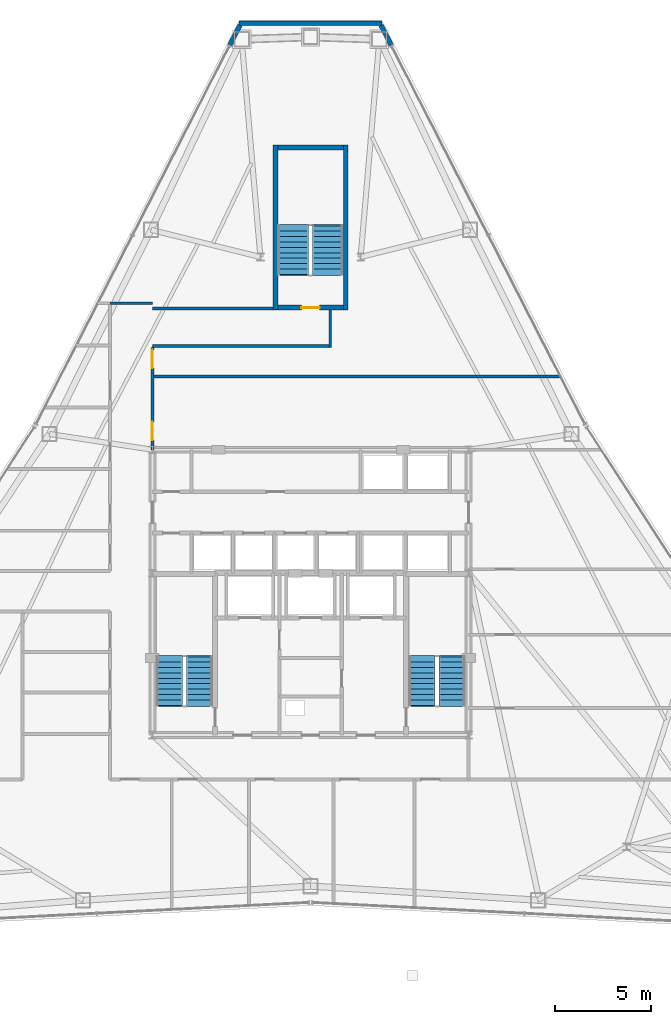
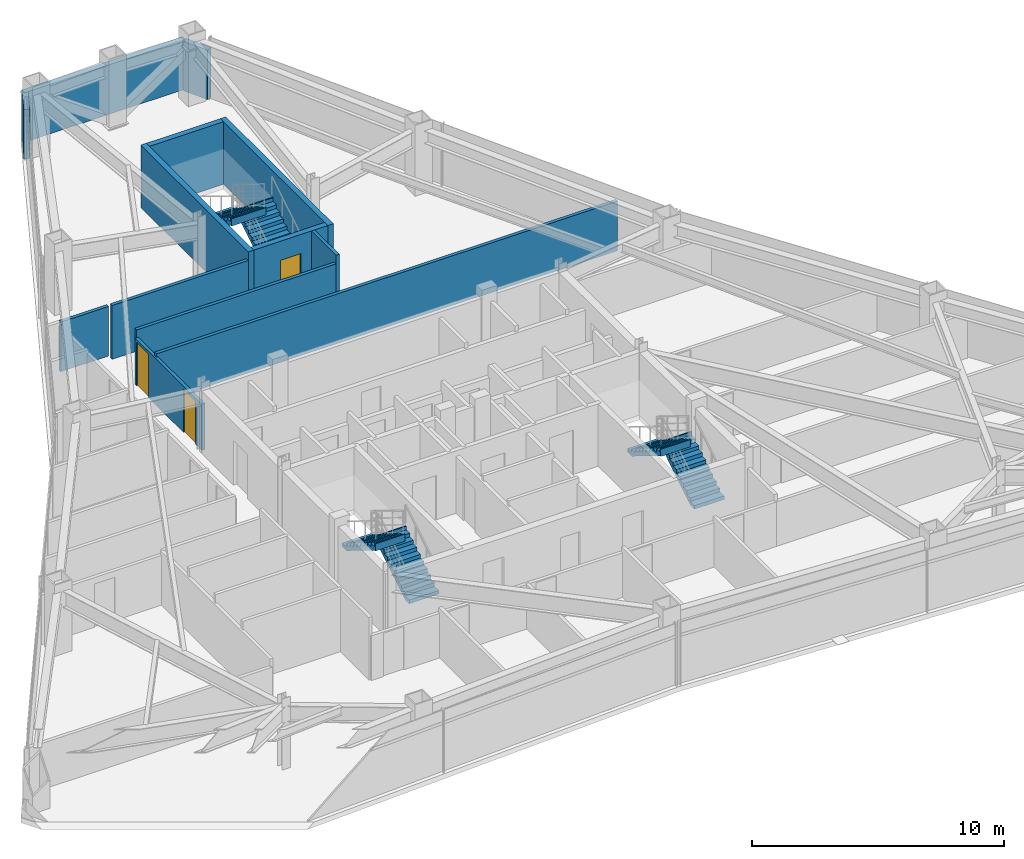
# One storey, part 11 of 12: 13 walls, 6 stair flights, 3 doors, 3 openings, 3 elements without a shape of their own.
"""IFC4 building model written with IfcOpenShell, lengths in metres."""

from ifc_helpers import new_model, si_unit, direction, frame, frame_2d, origin, place, context, subcontext, project, spatial, polyline, rectangle, outline, extrude, material, layer, layer_set, type_object, element, fill, aggregate, save


model = new_model("IFC4")

# Units and contexts
model_context = context("Model", 3, precision=1e-05, world=origin(), true_north=direction((0.0, 1.0)))
body_context = subcontext(model_context, "Body", "Model", "MODEL_VIEW")
ifc_project = project(units=[si_unit("LENGTHUNIT", "METRE"), si_unit("AREAUNIT", "SQUARE_METRE"), si_unit("VOLUMEUNIT", "CUBIC_METRE"), si_unit("PLANEANGLEUNIT", "RADIAN"), si_unit("MASSUNIT", "GRAM", prefix="KILO")], contexts=[model_context])

# Site, building, storey
site_placement = place(None, origin())
site = spatial("IfcSite", under=ifc_project, at=site_placement, CompositionType="ELEMENT")
building_placement = place(site_placement, origin())
building = spatial("IfcBuilding", under=site, at=building_placement, Name="Varakhsha Concourse Tower", CompositionType="ELEMENT")
storey_placement = place(building_placement, frame((0.0, 0.0, 193.050048828125)))
storey = spatial("IfcBuildingStorey", under=building, at=storey_placement, Name="L55", CompositionType="ELEMENT", Elevation=193.050048828125)

# Walls
ifc_material_1 = material(Name="Concrete fc 45 MPa", Category="concrete")
ifc_layer_1 = layer(ifc_material_1, 0.239990234375, Name="WL-EXT-CRN-240")
ifc_layer_set_1 = layer_set([ifc_layer_1], Name="Concrete fc 45 MPa")
wall_type_1 = type_object("IfcWallType", Name="WL-EXT-CRN-240", PredefinedType="SHEAR", material=ifc_layer_set_1)
wall_1_placement = place(storey_placement, frame((36.300048828125, 53.338134765625, 0.0), z_axis=(0.0, 0.0, 1.0), x_axis=(1.0, 0.0, 0.0)))
element("IfcWall", 1, at=wall_1_placement, inside=storey, type_object=wall_type_1, Name="L55 Chamfer Wind-Corner Insulated Wall F1", PredefinedType="SHEAR", context=body_context, shape_type="SweptSolid", body=[
    extrude(rectangle(XDim=7.39990234375, YDim=0.239990234375, at=frame_2d((3.699951171875, 0.0))), origin(), (0.0, 0.0, 1.0), 2.40283203125),
])
for number, where, z_axis, x_axis, name in (
    (2, (36.34228515625, 53.2294921875, 0.0), (0.0, 0.0, 1.0), (-0.454974746331, -0.89050434036, 0.0), "L55 Wind-Corner Shoulder Wall F2"),
    (3, (44.18896484375, 52.189697265625, 0.0), (0.0, 0.0, 1.0), (-0.454974746331, 0.89050434036, 0.0), "L55 Wind-Corner Shoulder Wall F9"),
):
    element("IfcWall", number, at=place(storey_placement, frame(where, z_axis=z_axis, x_axis=x_axis)), inside=storey, type_object=wall_type_1, Name=name, PredefinedType="SHEAR", context=body_context, shape_type="SweptSolid", body=[
        extrude(rectangle(XDim=1.167724609375, YDim=0.239990234375, at=frame_2d((0.583984375, 0.0))), origin(), (0.0, 0.0, 1.0), 2.40283203125),
    ])

# Wall, openings, doors
ifc_material_2 = material(Name="Fire-Rated Type X Gypsum Partition Assembly", Category="gypsum")
ifc_layer_2 = layer(ifc_material_2, 0.14990234375, Name="WL-PART-150")
ifc_layer_set_2 = layer_set([ifc_layer_2], Name="Fire-Rated Type X Gypsum Partition Assembly")
wall_type_2 = type_object("IfcWallType", Name="WL-PART-150", PredefinedType="PARTITIONING", material=ifc_layer_set_2)
wall_2_placement = place(storey_placement, frame((31.800048828125, 31.199951171875, 0.0), z_axis=(0.0, 0.0, 1.0), x_axis=(0.0, 1.0, 0.0)))
wall_2 = element("IfcWall", 4, at=wall_2_placement, inside=storey, type_object=wall_type_2, Name="L55 Wall CRW-NE-L55", PredefinedType="PARTITIONING", context=body_context, shape_type="SweptSolid", body=[
    extrude(rectangle(XDim=5.300048828125, YDim=0.14990234375, at=frame_2d((2.64990234375, 0.0))), origin(), (0.0, 0.0, 1.0), 2.240966796875),
])
opening_1_placement = place(wall_2_placement, frame((0.5, 0.0, 0.0)))
opening_1 = element("IfcOpeningElement", 5, at=opening_1_placement, cuts=wall_2, Name="Opening DF-05", PredefinedType="OPENING", context=body_context, shape_type="SweptSolid", body=[
    extrude(rectangle(XDim=0.949951171875, YDim=2.10009765625, at=frame_2d((0.47509765625, 1.050048828125))), frame((0.0, 0.0849609375, 0.0), z_axis=(0.0, -1.0, 0.0), x_axis=(1.0, 0.0, 0.0)), (0.0, 0.0, 1.0), 0.169921875),
])
opening_2_placement = place(wall_2_placement, frame((4.22998046875, 0.0, 0.0)))
opening_2 = element("IfcOpeningElement", 6, at=opening_2_placement, cuts=wall_2, Name="Opening DF-05", PredefinedType="OPENING", context=body_context, shape_type="SweptSolid", body=[
    extrude(rectangle(XDim=0.949951171875, YDim=2.10009765625, at=frame_2d((0.47509765625, 1.050048828125))), frame((0.0, 0.0849609375, 0.0), z_axis=(0.0, -1.0, 0.0), x_axis=(1.0, 0.0, 0.0)), (0.0, 0.0, 1.0), 0.169921875),
])
ifc_material_3 = material(Name="Hollow Galvanised Steel Fire Door Assembly", Category="steel")
door_type_1 = type_object("IfcDoorType", Name="DR-FD60-950", OperationType="NOTDEFINED", PredefinedType="DOOR", material=ifc_material_3)
door_1_placement = place(opening_1_placement, origin())
door_1 = element("IfcDoor", 7, at=door_1_placement, inside=storey, type_object=door_type_1, Name="L55 Mountain View Grand Corner Boardroom L55-NE1 Door", OperationType="SINGLE_SWING_RIGHT", OverallHeight=2.10009765625, OverallWidth=0.949951171875, PredefinedType="DOOR", context=body_context, shape_type="SweptSolid", body=[
    extrude(rectangle(XDim=0.949951171875, YDim=2.10009765625, at=frame_2d((0.47509765625, 1.050048828125))), frame((0.0, 0.02490234375, 0.0), z_axis=(0.0, -1.0, 0.0), x_axis=(1.0, 0.0, 0.0)), (0.0, 0.0, 1.0), 0.050048828125),
])
fill(opening_1, door_1)
door_2_placement = place(opening_2_placement, origin())
door_2 = element("IfcDoor", 8, at=door_2_placement, inside=storey, type_object=door_type_1, Name="L55 Apex Executive Director Suite L55-NE2 Door", OperationType="SINGLE_SWING_RIGHT", OverallHeight=2.10009765625, OverallWidth=0.949951171875, PredefinedType="DOOR", context=body_context, shape_type="SweptSolid", body=[
    extrude(rectangle(XDim=0.949951171875, YDim=2.10009765625, at=frame_2d((0.47509765625, 1.050048828125))), frame((0.0, 0.02490234375, 0.0), z_axis=(0.0, -1.0, 0.0), x_axis=(1.0, 0.0, 0.0)), (0.0, 0.0, 1.0), 0.050048828125),
])
fill(opening_2, door_2)

# Walls
wall_3_placement = place(storey_placement, frame((29.60009765625, 38.800048828125, 0.0), z_axis=(0.0, 0.0, 1.0), x_axis=(1.0, 0.0, 0.0)))
element("IfcWall", 9, at=wall_3_placement, inside=storey, type_object=wall_type_2, Name="L55 Wall CRW-NCAP-L55", PredefinedType="PARTITIONING", context=body_context, shape_type="SweptSolid", body=[
    extrude(rectangle(XDim=2.199951171875, YDim=0.14990234375, at=frame_2d((1.10009765625, 0.0))), origin(), (0.0, 0.0, 1.0), 2.408935546875),
])
wall_4_placement = place(storey_placement, frame((31.800048828125, 35.0, 0.0), z_axis=(0.0, 0.0, 1.0), x_axis=(1.0, 0.0, 0.0)))
element("IfcWall", 10, at=wall_4_placement, inside=storey, type_object=wall_type_2, Name="L55 Wall ODIV-NE1-L55", PredefinedType="PARTITIONING", context=body_context, shape_type="SweptSolid", body=[
    extrude(rectangle(XDim=21.1689453125, YDim=0.14990234375, at=frame_2d((10.58447265625, 0.0))), origin(), (0.0, 0.0, 1.0), 2.408935546875),
])
wall_5_placement = place(storey_placement, frame((31.800048828125, 36.574951171875, 0.0), z_axis=(0.0, 0.0, 1.0), x_axis=(1.0, 0.0, 0.0)))
element("IfcWall", 11, at=wall_5_placement, inside=storey, type_object=wall_type_2, Name="L55 Wall STLK-S-L55", PredefinedType="PARTITIONING", context=body_context, shape_type="SweptSolid", body=[
    extrude(rectangle(XDim=9.14990234375, YDim=0.14990234375, at=frame_2d((4.574951171875, 0.0))), origin(), (0.0, 0.0, 1.0), 2.613037109375),
])
wall_6_placement = place(storey_placement, frame((31.800048828125, 38.52490234375, 0.0), z_axis=(0.0, 0.0, 1.0), x_axis=(1.0, 0.0, 0.0)))
element("IfcWall", 12, at=wall_6_placement, inside=storey, type_object=wall_type_2, Name="L55 Wall STLK-N-L55", PredefinedType="PARTITIONING", context=body_context, shape_type="SweptSolid", body=[
    extrude(rectangle(XDim=6.25, YDim=0.14990234375, at=frame_2d((3.125, 0.0))), origin(), (0.0, 0.0, 1.0), 2.613037109375),
])
wall_7_placement = place(storey_placement, frame((41.02490234375, 36.5, 0.0), z_axis=(0.0, 0.0, 1.0), x_axis=(0.0, 1.0, 0.0)))
element("IfcWall", 13, at=wall_7_placement, inside=storey, type_object=wall_type_2, Name="L55 Wall STLK-E-L55", PredefinedType="PARTITIONING", context=body_context, shape_type="SweptSolid", body=[
    extrude(rectangle(XDim=1.949951171875, YDim=0.14990234375, at=frame_2d((0.97509765625, 0.0))), origin(), (0.0, 0.0, 1.0), 3.030029296875),
])
ifc_layer_3 = layer(ifc_material_1, 0.25, Name="WL-STAIR-250")
ifc_layer_set_3 = layer_set([ifc_layer_3], Name="Concrete fc 45 MPa")
wall_type_3 = type_object("IfcWallType", Name="WL-STAIR-250", PredefinedType="SHEAR", material=ifc_layer_set_3)
for number, where, z_axis, x_axis, name in (
    (14, (38.175048828125, 38.449951171875, 0.0), (0.0, 0.0, 1.0), (0.0, 1.0, 0.0), "L55 Wall SWALL-ST5-W-L55"),
    (15, (41.824951171875, 38.449951171875, 0.0), (0.0, 0.0, 1.0), (0.0, 1.0, 0.0), "L55 Wall SWALL-ST5-E-L55"),
):
    element("IfcWall", number, at=place(storey_placement, frame(where, z_axis=z_axis, x_axis=x_axis)), inside=storey, type_object=wall_type_3, Name=name, PredefinedType="SHEAR", context=body_context, shape_type="SweptSolid", body=[
        extrude(rectangle(XDim=8.550048828125, YDim=0.25, at=frame_2d((4.27490234375, 0.0))), origin(), (0.0, 0.0, 1.0), 3.030029296875),
    ])

# Wall, opening, door
wall_8_placement = place(storey_placement, frame((38.300048828125, 38.574951171875, 0.0), z_axis=(0.0, 0.0, 1.0), x_axis=(1.0, 0.0, 0.0)))
wall_8 = element("IfcWall", 16, at=wall_8_placement, inside=storey, type_object=wall_type_3, Name="L55 Wall SWALL-ST5-S-L55", PredefinedType="SHEAR", context=body_context, shape_type="SweptSolid", body=[
    extrude(rectangle(XDim=3.39990234375, YDim=0.25, at=frame_2d((1.699951171875, 0.0))), origin(), (0.0, 0.0, 1.0), 3.030029296875),
])
opening_3_placement = place(wall_8_placement, frame((1.22509765625, 0.0, 0.0)))
opening_3 = element("IfcOpeningElement", 17, at=opening_3_placement, cuts=wall_8, Name="Opening DF-03", PredefinedType="OPENING", context=body_context, shape_type="SweptSolid", body=[
    extrude(rectangle(XDim=0.949951171875, YDim=2.10009765625, at=frame_2d((0.47509765625, 1.050048828125))), frame((0.0, 0.135009765625, 0.0), z_axis=(0.0, -1.0, 0.0), x_axis=(1.0, 0.0, 0.0)), (0.0, 0.0, 1.0), 0.27001953125),
])
door_type_2 = type_object("IfcDoorType", Name="DR-FD90-950", OperationType="NOTDEFINED", PredefinedType="DOOR", material=ifc_material_3)
door_3_placement = place(opening_3_placement, origin())
door_3 = element("IfcDoor", 18, at=door_3_placement, inside=storey, type_object=door_type_2, Name="L55 Stair ST5 Fire Door", OperationType="SINGLE_SWING_RIGHT", OverallHeight=2.10009765625, OverallWidth=0.949951171875, PredefinedType="DOOR", context=body_context, shape_type="SweptSolid", body=[
    extrude(rectangle(XDim=0.949951171875, YDim=2.10009765625, at=frame_2d((0.47509765625, 1.050048828125))), frame((0.0, 0.02490234375, 0.0), z_axis=(0.0, -1.0, 0.0), x_axis=(1.0, 0.0, 0.0)), (0.0, 0.0, 1.0), 0.050048828125),
])
fill(opening_3, door_3)

# Wall
wall_9_placement = place(storey_placement, frame((38.300048828125, 46.875, 0.0), z_axis=(0.0, 0.0, 1.0), x_axis=(1.0, 0.0, 0.0)))
element("IfcWall", 19, at=wall_9_placement, inside=storey, type_object=wall_type_3, Name="L55 Wall SWALL-ST5-N-L55", PredefinedType="SHEAR", context=body_context, shape_type="SweptSolid", body=[
    extrude(rectangle(XDim=3.39990234375, YDim=0.25, at=frame_2d((1.699951171875, 0.0))), origin(), (0.0, 0.0, 1.0), 3.030029296875),
])

# Stair, stair flights
stair_type_1 = type_object("IfcStairType", Name="ST-DOGLEG-1360", PredefinedType="HALF_TURN_STAIR", material=ifc_material_1)
stair_1_placement = place(storey_placement, origin())
stair_1 = element("IfcStair", 20, at=stair_1_placement, inside=storey, type_object=stair_type_1, Name="L55 Protected Exit Stair ST1", PredefinedType="HALF_TURN_STAIR")
stair_flight_type_1 = type_object("IfcStairFlightType", Name="STF-1360-R1725", PredefinedType="STRAIGHT", material=ifc_material_1)
stair_flight_1_placement = place(storey_placement, frame((34.239990234375, 17.93994140625, 0.0), z_axis=(0.0, 0.0, 1.0), x_axis=(0.0, 1.0, 0.0)))
stair_flight_1 = element("IfcStairFlight", 21, at=stair_flight_1_placement, type_object=stair_flight_type_1, Name="ST1 flight 1", NumberOfRisers=10, NumberOfTreads=9, PredefinedType="STRAIGHT", RiserHeight=0.1725, TreadLength=0.28, context=body_context, shape_type="SweptSolid", body=[
    extrude(outline(polyline([(-0.06005859375, 0.0), (-0.06005859375, 0.172607421875), (0.0, 0.172607421875), (0.280029296875, 0.172607421875), (0.280029296875, 0.344970703125), (0.56005859375, 0.344970703125), (0.56005859375, 0.517578125), (0.840087890625, 0.517578125), (0.840087890625, 0.68994140625), (1.1201171875, 0.68994140625), (1.1201171875, 0.862548828125), (1.39990234375, 0.862548828125), (1.39990234375, 1.034912109375), (1.679931640625, 1.034912109375), (1.679931640625, 1.20751953125), (1.9599609375, 1.20751953125), (1.9599609375, 1.3798828125), (2.239990234375, 1.3798828125), (2.239990234375, 1.552490234375), (2.52001953125, 1.552490234375), (2.52001953125, 1.72509765625), (2.580078125, 1.72509765625), (2.580078125, 1.37646484375), (2.52001953125, 1.37646484375), (0.285888671875, 0.0), (-0.06005859375, 0.0)])), frame((0.0, 0.68017578125, 0.0), z_axis=(0.0, -1.0, 0.0), x_axis=(1.0, 0.0, 0.0)), (0.0, 0.0, 1.0), 1.360107421875),
])
stair_flight_2_placement = place(storey_placement, frame((32.679931640625, 20.4599609375, 1.724853515625), z_axis=(0.0, 0.0, 1.0), x_axis=(0.0, -1.0, 0.0)))
stair_flight_2 = element("IfcStairFlight", 22, at=stair_flight_2_placement, type_object=stair_flight_type_1, Name="ST1 flight 2", NumberOfRisers=10, NumberOfTreads=9, PredefinedType="STRAIGHT", RiserHeight=0.1725, TreadLength=0.28, context=body_context, shape_type="SweptSolid", body=[
    extrude(outline(polyline([(-0.06005859375, 0.0), (-0.06005859375, 0.172607421875), (0.0, 0.172607421875), (0.280029296875, 0.172607421875), (0.280029296875, 0.344970703125), (0.56005859375, 0.344970703125), (0.56005859375, 0.517578125), (0.840087890625, 0.517578125), (0.840087890625, 0.68994140625), (1.1201171875, 0.68994140625), (1.1201171875, 0.862548828125), (1.39990234375, 0.862548828125), (1.39990234375, 1.034912109375), (1.679931640625, 1.034912109375), (1.679931640625, 1.20751953125), (1.9599609375, 1.20751953125), (1.9599609375, 1.3798828125), (2.239990234375, 1.3798828125), (2.239990234375, 1.552490234375), (2.52001953125, 1.552490234375), (2.52001953125, 1.72509765625), (2.580078125, 1.72509765625), (2.580078125, 1.37646484375), (2.52001953125, 1.37646484375), (0.285888671875, 0.0), (-0.06005859375, 0.0)])), frame((0.0, 0.68017578125, 0.0), z_axis=(0.0, -1.0, 0.0), x_axis=(1.0, 0.0, 0.0)), (0.0, 0.0, 1.0), 1.360107421875),
])
aggregate(stair_1, [stair_flight_1, stair_flight_2])

stair_2_placement = place(storey_placement, origin())
stair_2 = element("IfcStair", 23, at=stair_2_placement, inside=storey, type_object=stair_type_1, Name="L55 Protected Exit Stair ST2", PredefinedType="HALF_TURN_STAIR")
stair_flight_3_placement = place(storey_placement, frame((47.340087890625, 17.93994140625, 0.0), z_axis=(0.0, 0.0, 1.0), x_axis=(0.0, 1.0, 0.0)))
stair_flight_3 = element("IfcStairFlight", 24, at=stair_flight_3_placement, type_object=stair_flight_type_1, Name="ST2 flight 1", NumberOfRisers=10, NumberOfTreads=9, PredefinedType="STRAIGHT", RiserHeight=0.1725, TreadLength=0.28, context=body_context, shape_type="SweptSolid", body=[
    extrude(outline(polyline([(-0.06005859375, 0.0), (-0.06005859375, 0.172607421875), (0.0, 0.172607421875), (0.280029296875, 0.172607421875), (0.280029296875, 0.344970703125), (0.56005859375, 0.344970703125), (0.56005859375, 0.517578125), (0.840087890625, 0.517578125), (0.840087890625, 0.68994140625), (1.1201171875, 0.68994140625), (1.1201171875, 0.862548828125), (1.39990234375, 0.862548828125), (1.39990234375, 1.034912109375), (1.679931640625, 1.034912109375), (1.679931640625, 1.20751953125), (1.9599609375, 1.20751953125), (1.9599609375, 1.3798828125), (2.239990234375, 1.3798828125), (2.239990234375, 1.552490234375), (2.52001953125, 1.552490234375), (2.52001953125, 1.72509765625), (2.580078125, 1.72509765625), (2.580078125, 1.37646484375), (2.52001953125, 1.37646484375), (0.285888671875, 0.0), (-0.06005859375, 0.0)])), frame((0.0, 0.68017578125, 0.0), z_axis=(0.0, -1.0, 0.0), x_axis=(1.0, 0.0, 0.0)), (0.0, 0.0, 1.0), 1.360107421875),
])
stair_flight_4_placement = place(storey_placement, frame((45.780029296875, 20.4599609375, 1.724853515625), z_axis=(0.0, 0.0, 1.0), x_axis=(0.0, -1.0, 0.0)))
stair_flight_4 = element("IfcStairFlight", 25, at=stair_flight_4_placement, type_object=stair_flight_type_1, Name="ST2 flight 2", NumberOfRisers=10, NumberOfTreads=9, PredefinedType="STRAIGHT", RiserHeight=0.1725, TreadLength=0.28, context=body_context, shape_type="SweptSolid", body=[
    extrude(outline(polyline([(-0.06005859375, 0.0), (-0.06005859375, 0.172607421875), (0.0, 0.172607421875), (0.280029296875, 0.172607421875), (0.280029296875, 0.344970703125), (0.56005859375, 0.344970703125), (0.56005859375, 0.517578125), (0.840087890625, 0.517578125), (0.840087890625, 0.68994140625), (1.1201171875, 0.68994140625), (1.1201171875, 0.862548828125), (1.39990234375, 0.862548828125), (1.39990234375, 1.034912109375), (1.679931640625, 1.034912109375), (1.679931640625, 1.20751953125), (1.9599609375, 1.20751953125), (1.9599609375, 1.3798828125), (2.239990234375, 1.3798828125), (2.239990234375, 1.552490234375), (2.52001953125, 1.552490234375), (2.52001953125, 1.72509765625), (2.580078125, 1.72509765625), (2.580078125, 1.37646484375), (2.52001953125, 1.37646484375), (0.285888671875, 0.0), (-0.06005859375, 0.0)])), frame((0.0, 0.68017578125, 0.0), z_axis=(0.0, -1.0, 0.0), x_axis=(1.0, 0.0, 0.0)), (0.0, 0.0, 1.0), 1.360107421875),
])
aggregate(stair_2, [stair_flight_3, stair_flight_4])

stair_type_2 = type_object("IfcStairType", Name="ST-DOGLEG-1600", PredefinedType="HALF_TURN_STAIR", material=ifc_material_1)
stair_3_placement = place(storey_placement, origin())
stair_3 = element("IfcStair", 26, at=stair_3_placement, inside=storey, type_object=stair_type_2, Name="L55 Protected Exit Stair ST5", PredefinedType="HALF_TURN_STAIR")
stair_flight_type_2 = type_object("IfcStairFlightType", Name="STF-1600-R1725", PredefinedType="STRAIGHT", material=ifc_material_1)
stair_flight_5_placement = place(storey_placement, frame((40.89990234375, 40.300048828125, 0.0), z_axis=(0.0, 0.0, 1.0), x_axis=(0.0, 1.0, 0.0)))
stair_flight_5 = element("IfcStairFlight", 27, at=stair_flight_5_placement, type_object=stair_flight_type_2, Name="ST5 flight 1", NumberOfRisers=10, NumberOfTreads=9, PredefinedType="STRAIGHT", RiserHeight=0.1725, TreadLength=0.28, context=body_context, shape_type="SweptSolid", body=[
    extrude(outline(polyline([(-0.06005859375, 0.0), (-0.06005859375, 0.172607421875), (0.0, 0.172607421875), (0.280029296875, 0.172607421875), (0.280029296875, 0.344970703125), (0.56005859375, 0.344970703125), (0.56005859375, 0.517578125), (0.840087890625, 0.517578125), (0.840087890625, 0.68994140625), (1.1201171875, 0.68994140625), (1.1201171875, 0.862548828125), (1.39990234375, 0.862548828125), (1.39990234375, 1.034912109375), (1.679931640625, 1.034912109375), (1.679931640625, 1.20751953125), (1.9599609375, 1.20751953125), (1.9599609375, 1.3798828125), (2.239990234375, 1.3798828125), (2.239990234375, 1.552490234375), (2.52001953125, 1.552490234375), (2.52001953125, 1.72509765625), (2.580078125, 1.72509765625), (2.580078125, 1.37646484375), (2.52001953125, 1.37646484375), (0.285888671875, 0.0), (-0.06005859375, 0.0)])), frame((0.0, 0.800048828125, 0.0), z_axis=(0.0, -1.0, 0.0), x_axis=(1.0, 0.0, 0.0)), (0.0, 0.0, 1.0), 1.60009765625),
])
stair_flight_6_placement = place(storey_placement, frame((39.10009765625, 42.820068359375, 1.724853515625), z_axis=(0.0, 0.0, 1.0), x_axis=(0.0, -1.0, 0.0)))
stair_flight_6 = element("IfcStairFlight", 28, at=stair_flight_6_placement, type_object=stair_flight_type_2, Name="ST5 flight 2", NumberOfRisers=10, NumberOfTreads=9, PredefinedType="STRAIGHT", RiserHeight=0.1725, TreadLength=0.28, context=body_context, shape_type="SweptSolid", body=[
    extrude(outline(polyline([(-0.06005859375, 0.0), (-0.06005859375, 0.172607421875), (0.0, 0.172607421875), (0.280029296875, 0.172607421875), (0.280029296875, 0.344970703125), (0.56005859375, 0.344970703125), (0.56005859375, 0.517578125), (0.840087890625, 0.517578125), (0.840087890625, 0.68994140625), (1.1201171875, 0.68994140625), (1.1201171875, 0.862548828125), (1.39990234375, 0.862548828125), (1.39990234375, 1.034912109375), (1.679931640625, 1.034912109375), (1.679931640625, 1.20751953125), (1.9599609375, 1.20751953125), (1.9599609375, 1.3798828125), (2.239990234375, 1.3798828125), (2.239990234375, 1.552490234375), (2.52001953125, 1.552490234375), (2.52001953125, 1.72509765625), (2.580078125, 1.72509765625), (2.580078125, 1.37646484375), (2.52001953125, 1.37646484375), (0.285888671875, 0.0), (-0.06005859375, 0.0)])), frame((0.0, 0.800048828125, 0.0), z_axis=(0.0, -1.0, 0.0), x_axis=(1.0, 0.0, 0.0)), (0.0, 0.0, 1.0), 1.60009765625),
])
aggregate(stair_3, [stair_flight_5, stair_flight_6])

save(model, "model.ifc")
